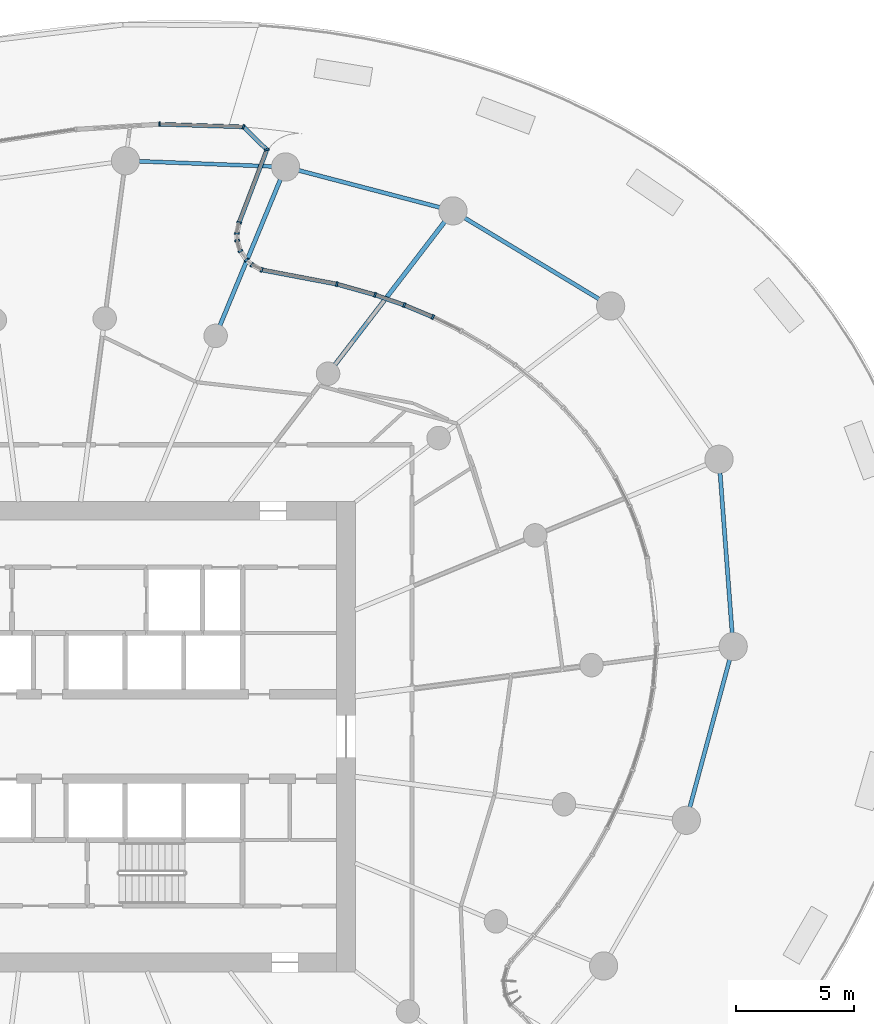
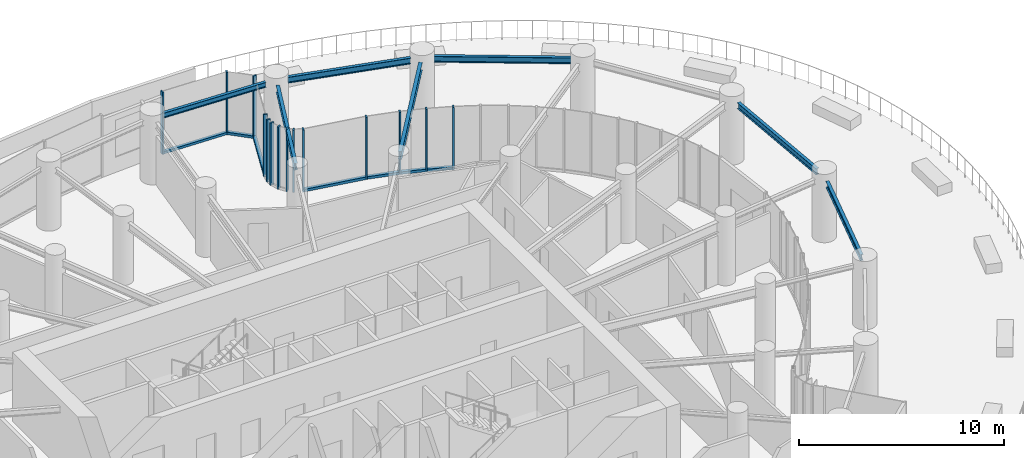
# One storey, part 7 of 24: 21 members, 7 beams, 4 elements without a shape of their own.
"""IFC4 building model written with IfcOpenShell, lengths in metres."""

from ifc_helpers import new_model, si_unit, direction, frame, origin, origin_2d, place, context, subcontext, project, spatial, rectangle, i_section, extrude, source, transform, mapped, material, layer, layer_set, material_profile, profile_set, type_object, element, aggregate, save


model = new_model("IFC4")

# Units and contexts
model_context = context("Model", 3, precision=1e-05, world=origin(), true_north=direction((0.0, 1.0)))
body_context = subcontext(model_context, "Body", "Model", "MODEL_VIEW")
ifc_project = project(units=[si_unit("LENGTHUNIT", "METRE"), si_unit("AREAUNIT", "SQUARE_METRE"), si_unit("VOLUMEUNIT", "CUBIC_METRE"), si_unit("PLANEANGLEUNIT", "RADIAN"), si_unit("MASSUNIT", "GRAM", prefix="KILO")], contexts=[model_context])

# Site, building, storey
site_placement = place(None, origin())
site = spatial("IfcSite", under=ifc_project, at=site_placement, CompositionType="ELEMENT")
building_placement = place(site_placement, origin())
building = spatial("IfcBuilding", under=site, at=building_placement, Name="Spindrift Exchange Tower", CompositionType="ELEMENT")
storey_placement = place(building_placement, frame((0.0, 0.0, 79.800048828125)))
storey = spatial("IfcBuildingStorey", under=building, at=storey_placement, Name="L18", CompositionType="ELEMENT", Elevation=79.800048828125)

# Beams
ifc_material_1 = material(Name="Steel Grade 300", Category="steel")
ifc_material_profile_1 = material_profile(ifc_material_1, i_section(OverallWidth=0.18994140625, OverallDepth=0.45703125, WebThickness=0.009033203125, FlangeThickness=0.014404296875, FilletRadius=0.013916015625, at=origin_2d()), Name="460UB74.6")
ifc_profile_set_1 = profile_set([ifc_material_profile_1], Name="Steel Grade 300")
beam_type_1 = type_object("IfcBeamType", Name="Floor Beam 460UB74.6 Steel Grade 300", PredefinedType="BEAM", material=ifc_profile_set_1)
shared_shape_1 = source(origin(), body_context, "Body", "SweptSolid", [
    extrude(i_section(OverallWidth=0.18994140625, OverallDepth=0.45703125, WebThickness=0.009033203125, FlangeThickness=0.014404296875, FilletRadius=0.013916015625, at=origin_2d()), origin(), (0.0, 0.0, 1.0), 7.663818359375),
])
beam_1_placement = place(storey_placement, frame((64.127197265625, 63.8046875, 3.471435546875), z_axis=(0.608771227503, 0.793345821546, 0.0), x_axis=(-0.793345821546, 0.608771227503, 0.0)))
element("IfcBeam", 1, at=beam_1_placement, inside=storey, type_object=beam_type_1, Name="L18 radial beam R04B", PredefinedType="BEAM", context=body_context, shape_type="MappedRepresentation", body=[
    mapped(shared_shape_1, transform((0.0, 0.0, 0.0), scale=1.0)),
])
ifc_material_profile_2 = material_profile(ifc_material_1, i_section(OverallWidth=0.177978515625, OverallDepth=0.406005859375, WebThickness=0.0078125, FlangeThickness=0.0126953125, FilletRadius=0.013916015625, at=origin_2d()), Name="410UB59.7")
ifc_profile_set_2 = profile_set([ifc_material_profile_2], Name="Steel Grade 300")
beam_type_2 = type_object("IfcBeamType", Name="Floor Beam 410UB59.7 Steel Grade 300", PredefinedType="BEAM", material=ifc_profile_set_2)
shared_shape_2 = source(origin(), body_context, "Body", "SweptSolid", [
    extrude(i_section(OverallWidth=0.177978515625, OverallDepth=0.406005859375, WebThickness=0.0078125, FlangeThickness=0.0126953125, FilletRadius=0.013916015625, at=origin_2d()), origin(), (0.0, 0.0, 1.0), 6.71240234375),
])
beam_2_placement = place(storey_placement, frame((59.23828125, 65.474853515625, 3.4970703125), z_axis=(0.382669812754, 0.923885173821, 0.0), x_axis=(-0.923885173821, 0.382669812754, 0.0)))
element("IfcBeam", 2, at=beam_2_placement, inside=storey, type_object=beam_type_2, Name="L18 radial beam R05B", PredefinedType="BEAM", context=body_context, shape_type="MappedRepresentation", body=[
    mapped(shared_shape_2, transform((0.0, 0.0, 0.0), scale=1.0)),
])
ifc_material_profile_3 = material_profile(ifc_material_1, i_section(OverallWidth=0.172119140625, OverallDepth=0.35888671875, WebThickness=0.008056640625, FlangeThickness=0.012939453125, FilletRadius=0.013916015625, at=origin_2d()), Name="360UB56.7")
ifc_profile_set_3 = profile_set([ifc_material_profile_3], Name="Steel Grade 300")
beam_type_3 = type_object("IfcBeamType", Name="Edge Beam 360UB56.7 Steel Grade 300", PredefinedType="SPANDREL", material=ifc_profile_set_3)
shared_shape_3 = source(origin(), body_context, "Body", "SweptSolid", [
    extrude(i_section(OverallWidth=0.172119140625, OverallDepth=0.35888671875, WebThickness=0.008056640625, FlangeThickness=0.012939453125, FilletRadius=0.013916015625, at=origin_2d()), origin(), (0.0, 0.0, 1.0), 6.82373046875),
])
beam_3_placement = place(storey_placement, frame((81.0126953125, 52.40380859375, 3.5205078125), z_axis=(-0.075276463877, 0.997162701863, 0.0), x_axis=(-0.997162701863, -0.075276463877, 0.0)))
element("IfcBeam", 3, at=beam_3_placement, inside=storey, type_object=beam_type_3, Name="L18 edge beam E01", PredefinedType="SPANDREL", context=body_context, shape_type="MappedRepresentation", body=[
    mapped(shared_shape_3, transform((0.0, 0.0, 0.0), scale=1.0)),
])
shared_shape_4 = source(origin(), body_context, "Body", "SweptSolid", [
    extrude(i_section(OverallWidth=0.172119140625, OverallDepth=0.35888671875, WebThickness=0.008056640625, FlangeThickness=0.012939453125, FilletRadius=0.013916015625, at=origin_2d()), origin(), (0.0, 0.0, 1.0), 6.668701171875),
])
beam_4_placement = place(storey_placement, frame((75.3515625, 66.59912109375, 3.5205078125), z_axis=(-0.856133207479, 0.516755194508, 0.0), x_axis=(-0.516755194508, -0.856133207479, 0.0)))
element("IfcBeam", 4, at=beam_4_placement, inside=storey, type_object=beam_type_3, Name="L18 edge beam E03", PredefinedType="SPANDREL", context=body_context, shape_type="MappedRepresentation", body=[
    mapped(shared_shape_4, transform((0.0, 0.0, 0.0), scale=1.0)),
])
shared_shape_5 = source(origin(), body_context, "Body", "SweptSolid", [
    extrude(i_section(OverallWidth=0.172119140625, OverallDepth=0.35888671875, WebThickness=0.008056640625, FlangeThickness=0.012939453125, FilletRadius=0.013916015625, at=origin_2d()), origin(), (0.0, 0.0, 1.0), 6.197509765625),
])
beam_5_placement = place(storey_placement, frame((68.584716796875, 70.491943359375, 3.5205078125), z_axis=(-0.967254420813, 0.253808757567, 0.0), x_axis=(-0.253808757567, -0.967254420813, 0.0)))
element("IfcBeam", 5, at=beam_5_placement, inside=storey, type_object=beam_type_3, Name="L18 edge beam E04", PredefinedType="SPANDREL", context=body_context, shape_type="MappedRepresentation", body=[
    mapped(shared_shape_5, transform((0.0, 0.0, 0.0), scale=1.0)),
])
ifc_material_profile_4 = material_profile(ifc_material_1, i_section(OverallWidth=0.1650390625, OverallDepth=0.303955078125, WebThickness=0.006103515625, FlangeThickness=0.01025390625, FilletRadius=0.011474609375, at=origin_2d()), Name="310UB40.4")
ifc_profile_set_4 = profile_set([ifc_material_profile_4], Name="Steel Grade 300")
beam_type_4 = type_object("IfcBeamType", Name="Edge Beam 310UB40.4 Steel Grade 300", PredefinedType="SPANDREL", material=ifc_profile_set_4)
shared_shape_6 = source(origin(), body_context, "Body", "SweptSolid", [
    extrude(i_section(OverallWidth=0.1650390625, OverallDepth=0.303955078125, WebThickness=0.006103515625, FlangeThickness=0.01025390625, FilletRadius=0.011474609375, at=origin_2d()), origin(), (0.0, 0.0, 1.0), 5.65185546875),
])
beam_6_placement = place(storey_placement, frame((61.449462890625, 72.234619140625, 3.5478515625), z_axis=(-0.99924397539, 0.038877726865, 0.0), x_axis=(-0.038877726865, -0.99924397539, 0.0)))
element("IfcBeam", 6, at=beam_6_placement, inside=storey, type_object=beam_type_4, Name="L18 edge beam E05", PredefinedType="SPANDREL", context=body_context, shape_type="MappedRepresentation", body=[
    mapped(shared_shape_6, transform((0.0, 0.0, 0.0), scale=1.0)),
])
shared_shape_7 = source(origin(), body_context, "Body", "SweptSolid", [
    extrude(i_section(OverallWidth=0.172119140625, OverallDepth=0.35888671875, WebThickness=0.008056640625, FlangeThickness=0.012939453125, FilletRadius=0.013916015625, at=origin_2d()), origin(), (0.0, 0.0, 1.0), 6.4921875),
])
beam_7_placement = place(storey_placement, frame((79.215576171875, 44.996826171875, 3.5205078125), z_axis=(0.260262058381, 0.965538016324, 0.0), x_axis=(-0.965538016324, 0.260262058381, 0.0)))
element("IfcBeam", 7, at=beam_7_placement, inside=storey, type_object=beam_type_3, Name="L18 edge beam E24", PredefinedType="SPANDREL", context=body_context, shape_type="MappedRepresentation", body=[
    mapped(shared_shape_7, transform((0.0, 0.0, 0.0), scale=1.0)),
])

# Curtain wall, members
ifc_material_2 = material(Name="Fritted laminated glass with bronze frame", Category="glass")
ifc_layer_1 = layer(ifc_material_2, 0.18994140625)
ifc_layer_set_1 = layer_set([ifc_layer_1], Name="ZONE 2 BRONZE FRITTED WALL")
curtain_wall_type_1 = type_object("IfcCurtainWallType", Name="ZONE 2 BRONZE FRITTED WALL", PredefinedType="NOTDEFINED", material=ifc_layer_set_1)
curtain_wall_1_placement = place(storey_placement, origin())
curtain_wall_1 = element("IfcCurtainWall", 8, at=curtain_wall_1_placement, inside=storey, type_object=curtain_wall_type_1, Name="L18 Zone 2 Bronze Fritted Wall run 1", PredefinedType="NOTDEFINED")
ifc_material_3 = material(Name="Bronze anodised aluminium", Category="aluminium")
ifc_material_profile_5 = material_profile(ifc_material_3, rectangle(XDim=0.074951171875, YDim=0.18994140625, at=origin_2d()), Name="ZONE 2 BRONZE FRITTED WALL MULLION 75X190")
ifc_profile_set_5 = profile_set([ifc_material_profile_5], Name="Bronze anodised aluminium")
member_type_1 = type_object("IfcMemberType", Name="ZONE 2 BRONZE FRITTED WALL MULLION 75X190", PredefinedType="MULLION", material=ifc_profile_set_5)
shared_shape_8 = source(origin(), body_context, "Body", "SweptSolid", [
    extrude(rectangle(XDim=0.074951171875, YDim=0.18994140625, at=origin_2d()), origin(), (0.0, 0.0, 1.0), 3.699951171875),
])
member_1_placement = place(storey_placement, frame((60.235595703125, 73.916259765625, 0.0), z_axis=(0.0, 0.0, 1.0), x_axis=(-0.920195673829, 0.391458710296, 0.0)))
member_1 = element("IfcMember", 9, at=member_1_placement, type_object=member_type_1, Name="L18 mullion CW-2.1", PredefinedType="MULLION", context=body_context, shape_type="MappedRepresentation", body=[
    mapped(shared_shape_8, transform((0.0, 0.0, 0.0), scale=1.0)),
])
member_2_placement = place(storey_placement, frame((56.6708984375, 74.029296875, 0.0), z_axis=(0.0, 0.0, 1.0), x_axis=(-0.999887040329, -0.015030189015, 0.0)))
member_2 = element("IfcMember", 10, at=member_2_placement, type_object=member_type_1, Name="L18 mullion CW-2.2", PredefinedType="MULLION", context=body_context, shape_type="MappedRepresentation", body=[
    mapped(shared_shape_8, transform((0.0, 0.0, 0.0), scale=1.0)),
])
ifc_material_profile_6 = material_profile(ifc_material_3, rectangle(XDim=0.169921875, YDim=0.139892578125, at=origin_2d()), Name="ZONE 2 BRONZE FRITTED WALL TRANSOM 170X140")
ifc_profile_set_6 = profile_set([ifc_material_profile_6], Name="Bronze anodised aluminium")
member_type_2 = type_object("IfcMemberType", Name="ZONE 2 BRONZE FRITTED WALL TRANSOM 170X140", PredefinedType="USERDEFINED", material=ifc_profile_set_6)
shared_shape_9 = source(origin(), body_context, "Body", "SweptSolid", [
    extrude(rectangle(XDim=0.169921875, YDim=0.139892578125, at=origin_2d()), origin(), (0.0, 0.0, 1.0), 3.4912109375),
])
member_3_placement = place(storey_placement, frame((60.197998046875, 73.91748046875, 0.070068359375), z_axis=(-0.999498128441, 0.031677929909, 0.0), x_axis=(-0.031677929909, -0.999498128441, 0.0)))
member_3 = element("IfcMember", 11, at=member_3_placement, type_object=member_type_2, Name="L18 transom CW-2.1", ObjectType="TRANSOM", PredefinedType="USERDEFINED", context=body_context, shape_type="MappedRepresentation", body=[
    mapped(shared_shape_9, transform((0.0, 0.0, 0.0), scale=1.0)),
])
aggregate(curtain_wall_1, [member_1, member_3, member_2])

# Curtain wall, member
ifc_layer_2 = layer(ifc_material_2, 0.199951171875)
ifc_layer_set_2 = layer_set([ifc_layer_2], Name="SKY GARDEN BRONZE GLAZED WALL")
curtain_wall_type_2 = type_object("IfcCurtainWallType", Name="SKY GARDEN BRONZE GLAZED WALL", PredefinedType="NOTDEFINED", material=ifc_layer_set_2)
curtain_wall_2_placement = place(storey_placement, origin())
curtain_wall_2 = element("IfcCurtainWall", 12, at=curtain_wall_2_placement, inside=storey, type_object=curtain_wall_type_2, Name="L18 Sky Garden Bronze Glazed Wall run 11", PredefinedType="NOTDEFINED")
ifc_material_profile_7 = material_profile(ifc_material_3, rectangle(XDim=0.0849609375, YDim=0.199951171875, at=origin_2d()), Name="SKY GARDEN BRONZE GLAZED WALL MULLION 85X200")
ifc_profile_set_7 = profile_set([ifc_material_profile_7], Name="Bronze anodised aluminium")
member_type_3 = type_object("IfcMemberType", Name="SKY GARDEN BRONZE GLAZED WALL MULLION 85X200", PredefinedType="MULLION", material=ifc_profile_set_7)
shared_shape_10 = source(origin(), body_context, "Body", "SweptSolid", [
    extrude(rectangle(XDim=0.0849609375, YDim=0.199951171875, at=origin_2d()), origin(), (0.0, 0.0, 1.0), 3.699951171875),
])
member_4_placement = place(storey_placement, frame((68.290283203125, 65.83251953125, 0.0), z_axis=(0.0, 0.0, 1.0), x_axis=(-0.910118718832, 0.414347580699, 0.0)))
member_4 = element("IfcMember", 13, at=member_4_placement, type_object=member_type_3, Name="L18 mullion CW-G.65", PredefinedType="MULLION", context=body_context, shape_type="MappedRepresentation", body=[
    mapped(shared_shape_10, transform((0.0, 0.0, 0.0), scale=1.0)),
])

# Curtain wall, members
curtain_wall_3_placement = place(storey_placement, origin())
curtain_wall_3 = element("IfcCurtainWall", 14, at=curtain_wall_3_placement, inside=storey, type_object=curtain_wall_type_2, Name="L18 Sky Garden Bronze Glazed Wall run 12", PredefinedType="NOTDEFINED")
member_5_placement = place(storey_placement, frame((67.072509765625, 66.341064453125, 0.0), z_axis=(0.0, 0.0, 1.0), x_axis=(-0.933720873362, 0.358001858442, 0.0)))
member_5 = element("IfcMember", 15, at=member_5_placement, type_object=member_type_3, Name="L18 mullion CW-G.66", PredefinedType="MULLION", context=body_context, shape_type="MappedRepresentation", body=[
    mapped(shared_shape_10, transform((0.0, 0.0, 0.0), scale=1.0)),
])
member_6_placement = place(storey_placement, frame((65.833251953125, 66.77490234375, 0.0), z_axis=(0.0, 0.0, 1.0), x_axis=(-0.953803310573, 0.300431763866, 0.0)))
member_6 = element("IfcMember", 16, at=member_6_placement, type_object=member_type_3, Name="L18 mullion CW-G.67", PredefinedType="MULLION", context=body_context, shape_type="MappedRepresentation", body=[
    mapped(shared_shape_10, transform((0.0, 0.0, 0.0), scale=1.0)),
])
member_7_placement = place(storey_placement, frame((64.210205078125, 67.23046875, 0.0), z_axis=(0.0, 0.0, 1.0), x_axis=(-0.973540141452, 0.228516067227, 0.0)))
member_7 = element("IfcMember", 17, at=member_7_placement, type_object=member_type_3, Name="L18 mullion CW-G.68", PredefinedType="MULLION", context=body_context, shape_type="MappedRepresentation", body=[
    mapped(shared_shape_10, transform((0.0, 0.0, 0.0), scale=1.0)),
])
member_8_placement = place(storey_placement, frame((61.01318359375, 67.8369140625, 0.0), z_axis=(0.0, 0.0, 1.0), x_axis=(-0.945858309612, 0.324579817821, 0.0)))
member_8 = element("IfcMember", 18, at=member_8_placement, type_object=member_type_3, Name="L18 mullion CW-G.69", PredefinedType="MULLION", context=body_context, shape_type="MappedRepresentation", body=[
    mapped(shared_shape_10, transform((0.0, 0.0, 0.0), scale=1.0)),
])
member_9_placement = place(storey_placement, frame((60.6005859375, 68.048095703125, 0.0), z_axis=(0.0, 0.0, 1.0), x_axis=(-0.82554148569, 0.56434143513, 0.0)))
member_9 = element("IfcMember", 19, at=member_9_placement, type_object=member_type_3, Name="L18 mullion CW-G.70", PredefinedType="MULLION", context=body_context, shape_type="MappedRepresentation", body=[
    mapped(shared_shape_10, transform((0.0, 0.0, 0.0), scale=1.0)),
])
member_10_placement = place(storey_placement, frame((60.365234375, 68.257080078125, 0.0), z_axis=(0.0, 0.0, 1.0), x_axis=(-0.658902593859, 0.752228271076, 0.0)))
member_10 = element("IfcMember", 20, at=member_10_placement, type_object=member_type_3, Name="L18 mullion CW-G.71", PredefinedType="MULLION", context=body_context, shape_type="MappedRepresentation", body=[
    mapped(shared_shape_10, transform((0.0, 0.0, 0.0), scale=1.0)),
])

curtain_wall_4_placement = place(storey_placement, origin())
curtain_wall_4 = element("IfcCurtainWall", 21, at=curtain_wall_4_placement, inside=storey, type_object=curtain_wall_type_2, Name="L18 Sky Garden Bronze Glazed Wall run 13", PredefinedType="NOTDEFINED")
member_11_placement = place(storey_placement, frame((60.106201171875, 68.64111328125, 0.0), z_axis=(0.0, 0.0, 1.0), x_axis=(-0.429778761359, 0.902934225891, 0.0)))
member_11 = element("IfcMember", 22, at=member_11_placement, type_object=member_type_3, Name="L18 mullion CW-G.72", PredefinedType="MULLION", context=body_context, shape_type="MappedRepresentation", body=[
    mapped(shared_shape_10, transform((0.0, 0.0, 0.0), scale=1.0)),
])
member_12_placement = place(storey_placement, frame((59.972900390625, 69.079833984375, 0.0), z_axis=(0.0, 0.0, 1.0), x_axis=(-0.169249521237, 0.985573233992, 0.0)))
member_12 = element("IfcMember", 23, at=member_12_placement, type_object=member_type_3, Name="L18 mullion CW-G.73", PredefinedType="MULLION", context=body_context, shape_type="MappedRepresentation", body=[
    mapped(shared_shape_10, transform((0.0, 0.0, 0.0), scale=1.0)),
])
member_13_placement = place(storey_placement, frame((59.95849609375, 69.394287109375, 0.0), z_axis=(0.0, 0.0, 1.0), x_axis=(0.080332898153, 0.996768090116, 0.0)))
member_13 = element("IfcMember", 24, at=member_13_placement, type_object=member_type_3, Name="L18 mullion CW-G.74", PredefinedType="MULLION", context=body_context, shape_type="MappedRepresentation", body=[
    mapped(shared_shape_10, transform((0.0, 0.0, 0.0), scale=1.0)),
])
member_14_placement = place(storey_placement, frame((60.052978515625, 69.845458984375, 0.0), z_axis=(0.0, 0.0, 1.0), x_axis=(0.281193847406, 0.959650988736, 0.0)))
member_14 = element("IfcMember", 25, at=member_14_placement, type_object=member_type_3, Name="L18 mullion CW-G.75", PredefinedType="MULLION", context=body_context, shape_type="MappedRepresentation", body=[
    mapped(shared_shape_10, transform((0.0, 0.0, 0.0), scale=1.0)),
])
member_15_placement = place(storey_placement, frame((61.2333984375, 72.943359375, 0.0), z_axis=(0.0, 0.0, 1.0), x_axis=(-0.215298512934, 0.976548283665, 0.0)))
member_15 = element("IfcMember", 26, at=member_15_placement, type_object=member_type_3, Name="L18 mullion CW-G.76", PredefinedType="MULLION", context=body_context, shape_type="MappedRepresentation", body=[
    mapped(shared_shape_10, transform((0.0, 0.0, 0.0), scale=1.0)),
])

# Member
ifc_material_profile_8 = material_profile(ifc_material_3, rectangle(XDim=0.179931640625, YDim=0.14990234375, at=origin_2d()), Name="SKY GARDEN BRONZE GLAZED WALL TRANSOM 180X150")
ifc_profile_set_8 = profile_set([ifc_material_profile_8], Name="Bronze anodised aluminium")
member_type_4 = type_object("IfcMemberType", Name="SKY GARDEN BRONZE GLAZED WALL TRANSOM 180X150", PredefinedType="USERDEFINED", material=ifc_profile_set_8)
shared_shape_11 = source(origin(), body_context, "Body", "SweptSolid", [
    extrude(rectangle(XDim=0.179931640625, YDim=0.14990234375, at=origin_2d()), origin(), (0.0, 0.0, 1.0), 1.234619140625),
])
member_16_placement = place(storey_placement, frame((68.2509765625, 65.848876953125, 0.074951171875), z_axis=(-0.922737216333, 0.385429668803, 0.0), x_axis=(-0.385429668803, -0.922737216333, 0.0)))
member_16 = element("IfcMember", 27, at=member_16_placement, type_object=member_type_4, Name="L18 transom CW-G.65", ObjectType="TRANSOM", PredefinedType="USERDEFINED", context=body_context, shape_type="MappedRepresentation", body=[
    mapped(shared_shape_11, transform((0.0, 0.0, 0.0), scale=1.0)),
])

aggregate(curtain_wall_2, [member_4, member_16])

shared_shape_12 = source(origin(), body_context, "Body", "SweptSolid", [
    extrude(rectangle(XDim=0.179931640625, YDim=0.14990234375, at=origin_2d()), origin(), (0.0, 0.0, 1.0), 1.22802734375),
])
member_17_placement = place(storey_placement, frame((67.032470703125, 66.355224609375, 0.074951171875), z_axis=(-0.943907935332, 0.330208736434, 0.0), x_axis=(-0.330208736434, -0.943907935332, 0.0)))
member_17 = element("IfcMember", 28, at=member_17_placement, type_object=member_type_4, Name="L18 transom CW-G.66", ObjectType="TRANSOM", PredefinedType="USERDEFINED", context=body_context, shape_type="MappedRepresentation", body=[
    mapped(shared_shape_12, transform((0.0, 0.0, 0.0), scale=1.0)),
])

shared_shape_13 = source(origin(), body_context, "Body", "SweptSolid", [
    extrude(rectangle(XDim=0.179931640625, YDim=0.14990234375, at=origin_2d()), origin(), (0.0, 0.0, 1.0), 1.600830078125),
])
member_18_placement = place(storey_placement, frame((65.792236328125, 66.786376953125, 0.074951171875), z_axis=(-0.962791174544, 0.270246469395, 0.0), x_axis=(-0.270246469395, -0.962791174544, 0.0)))
member_18 = element("IfcMember", 29, at=member_18_placement, type_object=member_type_4, Name="L18 transom CW-G.67", ObjectType="TRANSOM", PredefinedType="USERDEFINED", context=body_context, shape_type="MappedRepresentation", body=[
    mapped(shared_shape_13, transform((0.0, 0.0, 0.0), scale=1.0)),
])

shared_shape_14 = source(origin(), body_context, "Body", "SweptSolid", [
    extrude(rectangle(XDim=0.179931640625, YDim=0.14990234375, at=origin_2d()), origin(), (0.0, 0.0, 1.0), 3.1689453125),
])
member_19_placement = place(storey_placement, frame((64.16845703125, 67.23828125, 0.074951171875), z_axis=(-0.982481903859, 0.186358011874, 0.0), x_axis=(-0.186358011874, -0.982481903859, 0.0)))
member_19 = element("IfcMember", 30, at=member_19_placement, type_object=member_type_4, Name="L18 transom CW-G.68", ObjectType="TRANSOM", PredefinedType="USERDEFINED", context=body_context, shape_type="MappedRepresentation", body=[
    mapped(shared_shape_14, transform((0.0, 0.0, 0.0), scale=1.0)),
])

aggregate(curtain_wall_3, [member_5, member_17, member_6, member_18, member_7, member_19, member_8, member_9, member_10])

shared_shape_15 = source(origin(), body_context, "Body", "SweptSolid", [
    extrude(rectangle(XDim=0.179931640625, YDim=0.14990234375, at=origin_2d()), origin(), (0.0, 0.0, 1.0), 3.22998046875),
])
member_20_placement = place(storey_placement, frame((60.068115234375, 69.88525390625, 0.074951171875), z_axis=(0.356080190689, 0.934455401717, 0.0), x_axis=(-0.934455401717, 0.356080190689, 0.0)))
member_20 = element("IfcMember", 31, at=member_20_placement, type_object=member_type_4, Name="L18 transom CW-G.75", ObjectType="TRANSOM", PredefinedType="USERDEFINED", context=body_context, shape_type="MappedRepresentation", body=[
    mapped(shared_shape_15, transform((0.0, 0.0, 0.0), scale=1.0)),
])

shared_shape_16 = source(origin(), body_context, "Body", "SweptSolid", [
    extrude(rectangle(XDim=0.179931640625, YDim=0.14990234375, at=origin_2d()), origin(), (0.0, 0.0, 1.0), 1.30859375),
])
member_21_placement = place(storey_placement, frame((61.202880859375, 72.972900390625, 0.074951171875), z_axis=(-0.716004802028, 0.69809535414, 0.0), x_axis=(-0.69809535414, -0.716004802028, 0.0)))
member_21 = element("IfcMember", 32, at=member_21_placement, type_object=member_type_4, Name="L18 transom CW-G.76", ObjectType="TRANSOM", PredefinedType="USERDEFINED", context=body_context, shape_type="MappedRepresentation", body=[
    mapped(shared_shape_16, transform((0.0, 0.0, 0.0), scale=1.0)),
])

aggregate(curtain_wall_4, [member_11, member_12, member_13, member_14, member_20, member_15, member_21])

save(model, "model.ifc")
